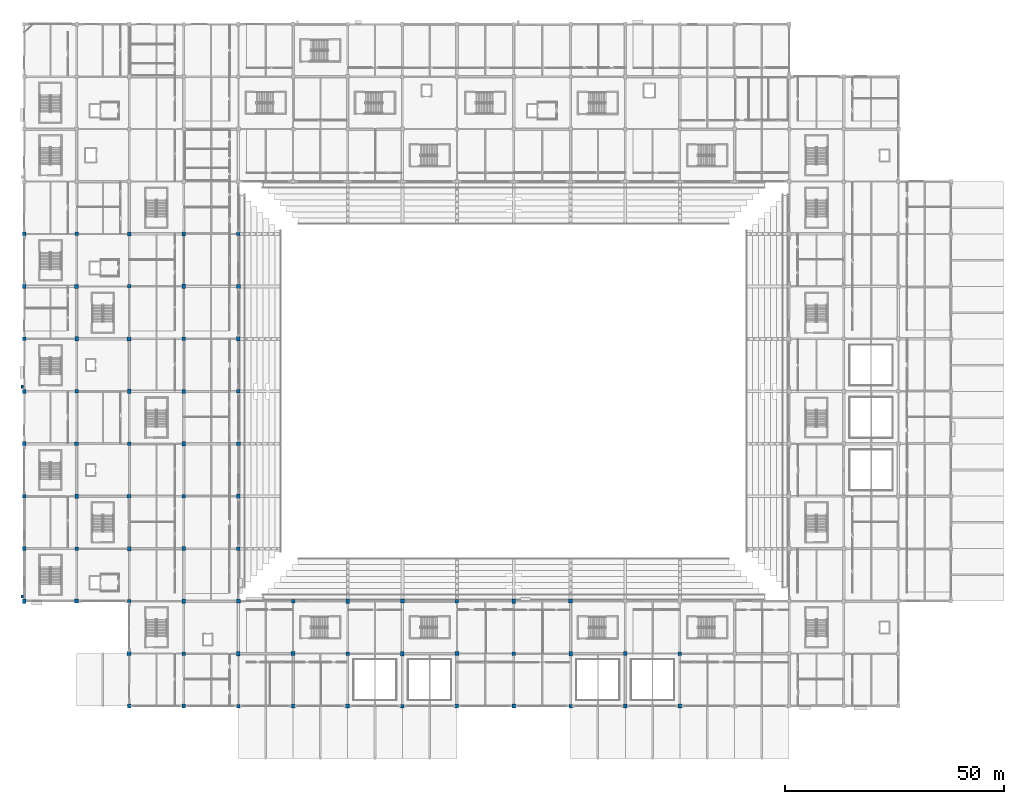
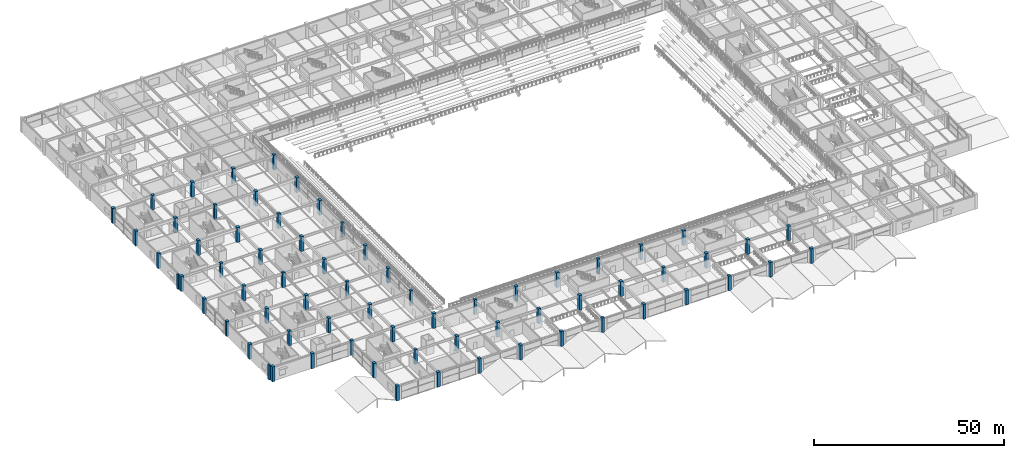
# One storey, part 1 of 134: 70 columns.
"""IFC4 building model written with IfcOpenShell, lengths in metres."""

from ifc_helpers import new_model, si_unit, direction, frame, origin, origin_2d, place, context, subcontext, project, spatial, rectangle, extrude, material, material_profile, profile_set, type_object, element, save


model = new_model("IFC4")

# Units and contexts
model_context = context("Model", 3, precision=1e-05, world=origin(), true_north=direction((0.0, 1.0)))
body_context = subcontext(model_context, "Body", "Model", "MODEL_VIEW")
ifc_project = project(units=[si_unit("LENGTHUNIT", "METRE"), si_unit("AREAUNIT", "SQUARE_METRE"), si_unit("VOLUMEUNIT", "CUBIC_METRE"), si_unit("PLANEANGLEUNIT", "RADIAN"), si_unit("MASSUNIT", "GRAM", prefix="KILO")], contexts=[model_context])

# Site, building, storey
site_placement = place(None, origin())
site = spatial("IfcSite", under=ifc_project, at=site_placement, CompositionType="ELEMENT")
building_placement = place(site_placement, origin())
building = spatial("IfcBuilding", under=site, at=building_placement, Name="Kazenohara Klinker Stadium", CompositionType="ELEMENT")
storey_placement = place(building_placement, frame((0.0, 0.0, 5.39990234375)))
storey = spatial("IfcBuildingStorey", under=building, at=storey_placement, Name="L01", CompositionType="ELEMENT", Elevation=5.39990234375)

# Columns
ifc_material = material(Name="Concrete C40/50", Category="concrete")
ifc_material_profile_1 = material_profile(ifc_material, rectangle(XDim=0.800048828125, YDim=1.0, at=origin_2d()), Name="RC-COL-1000x800")
ifc_profile_set_1 = profile_set([ifc_material_profile_1], Name="Concrete C40/50")
column_type_1 = type_object("IfcColumnType", Name="COL-RC03", PredefinedType="COLUMN", material=ifc_profile_set_1)
for number, where, z_axis, x_axis, name in (
    (1, (0.0, 36.0, 0.0), (0.0, 0.0, 1.0), (1.0, 0.0, 0.0), "Column C03 L01 1/D"),
    (2, (0.0, 72.0, 0.0), (0.0, 0.0, 1.0), (1.0, 0.0, 0.0), "Column C03 L01 1/G"),
    (3, (0.0, 108.0, 0.0), (0.0, 0.0, 1.0), (1.0, 0.0, 0.0), "Column C03 L01 1/K"),
    (4, (12.0, 60.0, 0.0), (0.0, 0.0, 1.0), (1.0, 0.0, 0.0), "Column C03 L01 2/F"),
    (5, (12.0, 96.0, 0.0), (0.0, 0.0, 1.0), (1.0, 0.0, 0.0), "Column C03 L01 2/J"),
    (6, (24.0, 12.0, 0.0), (0.0, 0.0, 1.0), (1.0, 0.0, 0.0), "Column C03 L01 3/B"),
    (7, (24.0, 48.0, 0.0), (0.0, 0.0, 1.0), (1.0, 0.0, 0.0), "Column C03 L01 3/E"),
    (8, (24.0, 84.0, 0.0), (0.0, 0.0, 1.0), (1.0, 0.0, 0.0), "Column C03 L01 3/H"),
    (9, (24.0, 120.0, 0.0), (0.0, 0.0, 1.0), (1.0, 0.0, 0.0), "Column C03 L01 3/L"),
    (10, (36.5, 36.0, 0.0), (0.0, 0.0, 1.0), (1.0, 0.0, 0.0), "Column C03 L01 4/D"),
    (11, (36.5, 72.0, 0.0), (0.0, 0.0, 1.0), (1.0, 0.0, 0.0), "Column C03 L01 4/G"),
    (12, (36.5, 108.0, 0.0), (0.0, 0.0, 1.0), (1.0, 0.0, 0.0), "Column C03 L01 4/K"),
    (13, (49.0, 24.0, 0.0), (0.0, 0.0, 1.0), (1.0, 0.0, 0.0), "Column C03 L01 5/C"),
    (14, (49.0, 60.0, 0.0), (0.0, 0.0, 1.0), (1.0, 0.0, 0.0), "Column C03 L01 5/F"),
    (15, (49.0, 96.0, 0.0), (0.0, 0.0, 1.0), (1.0, 0.0, 0.0), "Column C03 L01 5/J"),
    (16, (61.5, 12.0, 0.0), (0.0, 0.0, 1.0), (1.0, 0.0, 0.0), "Column C03 L01 6/B"),
    (17, (74.0, 36.0, 0.0), (0.0, 0.0, 1.0), (1.0, 0.0, 0.0), "Column C03 L01 7/D"),
    (18, (86.5, 24.0, 0.0), (0.0, 0.0, 1.0), (1.0, 0.0, 0.0), "Column C03 L01 8/C"),
    (19, (99.0, 12.0, 0.0), (0.0, 0.0, 1.0), (1.0, 0.0, 0.0), "Column C03 L01 9/B"),
    (20, (112.0, 36.0, 0.0), (0.0, 0.0, 1.0), (1.0, 0.0, 0.0), "Column C03 L01 10/D"),
    (21, (125.0, 24.0, 0.0), (0.0, 0.0, 1.0), (1.0, 0.0, 0.0), "Column C03 L01 11/C"),
    (22, (137.5, 12.0, 0.0), (0.0, 0.0, 1.0), (1.0, 0.0, 0.0), "Column C03 L01 12/B"),
):
    element("IfcColumn", number, at=place(storey_placement, frame(where, z_axis=z_axis, x_axis=x_axis)), inside=storey, type_object=column_type_1, Name=name, PredefinedType="COLUMN", context=body_context, shape_type="SweptSolid", body=[
        extrude(rectangle(XDim=0.800048828125, YDim=1.0, at=origin_2d()), origin(), (0.0, 0.0, 1.0), 4.800048828125),
    ])
ifc_material_profile_2 = material_profile(ifc_material, rectangle(XDim=0.89990234375, YDim=0.89990234375, at=origin_2d()), Name="RC-COL-900x900")
ifc_profile_set_2 = profile_set([ifc_material_profile_2], Name="Concrete C40/50")
column_type_2 = type_object("IfcColumnType", Name="COL-RC04", PredefinedType="COLUMN", material=ifc_profile_set_2)
for number, where, z_axis, x_axis, name in (
    (23, (0.0, 48.0, 0.0), (0.0, 0.0, 1.0), (1.0, 0.0, 0.0), "Column C04 L01 1/E"),
    (24, (0.0, 84.0, 0.0), (0.0, 0.0, 1.0), (1.0, 0.0, 0.0), "Column C04 L01 1/H"),
    (25, (0.0, 120.0, 0.0), (0.0, 0.0, 1.0), (1.0, 0.0, 0.0), "Column C04 L01 1/L"),
    (26, (12.0, 36.0, 0.0), (0.0, 0.0, 1.0), (1.0, 0.0, 0.0), "Column C04 L01 2/D"),
    (27, (12.0, 72.0, 0.0), (0.0, 0.0, 1.0), (1.0, 0.0, 0.0), "Column C04 L01 2/G"),
    (28, (12.0, 108.0, 0.0), (0.0, 0.0, 1.0), (1.0, 0.0, 0.0), "Column C04 L01 2/K"),
    (29, (24.0, 24.0, 0.0), (0.0, 0.0, 1.0), (1.0, 0.0, 0.0), "Column C04 L01 3/C"),
    (30, (24.0, 60.0, 0.0), (0.0, 0.0, 1.0), (1.0, 0.0, 0.0), "Column C04 L01 3/F"),
    (31, (24.0, 96.0, 0.0), (0.0, 0.0, 1.0), (1.0, 0.0, 0.0), "Column C04 L01 3/J"),
    (32, (36.5, 12.0, 0.0), (0.0, 0.0, 1.0), (1.0, 0.0, 0.0), "Column C04 L01 4/B"),
    (33, (36.5, 48.0, 0.0), (0.0, 0.0, 1.0), (1.0, 0.0, 0.0), "Column C04 L01 4/E"),
    (34, (36.5, 84.0, 0.0), (0.0, 0.0, 1.0), (1.0, 0.0, 0.0), "Column C04 L01 4/H"),
    (35, (36.5, 120.0, 0.0), (0.0, 0.0, 1.0), (1.0, 0.0, 0.0), "Column C04 L01 4/L"),
    (36, (49.0, 36.0, 0.0), (0.0, 0.0, 1.0), (1.0, 0.0, 0.0), "Column C04 L01 5/D"),
    (37, (49.0, 72.0, 0.0), (0.0, 0.0, 1.0), (1.0, 0.0, 0.0), "Column C04 L01 5/G"),
    (38, (49.0, 108.0, 0.0), (0.0, 0.0, 1.0), (1.0, 0.0, 0.0), "Column C04 L01 5/K"),
    (39, (61.5, 24.0, 0.0), (0.0, 0.0, 1.0), (1.0, 0.0, 0.0), "Column C04 L01 6/C"),
    (40, (74.0, 12.0, 0.0), (0.0, 0.0, 1.0), (1.0, 0.0, 0.0), "Column C04 L01 7/B"),
    (41, (86.5, 36.0, 0.0), (0.0, 0.0, 1.0), (1.0, 0.0, 0.0), "Column C04 L01 8/D"),
    (42, (99.0, 24.0, 0.0), (0.0, 0.0, 1.0), (1.0, 0.0, 0.0), "Column C04 L01 9/C"),
    (43, (112.0, 12.0, 0.0), (0.0, 0.0, 1.0), (1.0, 0.0, 0.0), "Column C04 L01 10/B"),
    (44, (125.0, 36.0, 0.0), (0.0, 0.0, 1.0), (1.0, 0.0, 0.0), "Column C04 L01 11/D"),
    (45, (137.5, 24.0, 0.0), (0.0, 0.0, 1.0), (1.0, 0.0, 0.0), "Column C04 L01 12/C"),
    (46, (150.0, 12.0, 0.0), (0.0, 0.0, 1.0), (1.0, 0.0, 0.0), "Column C04 L01 13/B"),
):
    element("IfcColumn", number, at=place(storey_placement, frame(where, z_axis=z_axis, x_axis=x_axis)), inside=storey, type_object=column_type_2, Name=name, PredefinedType="COLUMN", context=body_context, shape_type="SweptSolid", body=[
        extrude(rectangle(XDim=0.89990234375, YDim=0.89990234375, at=origin_2d()), origin(), (0.0, 0.0, 1.0), 4.800048828125),
    ])
ifc_material_profile_3 = material_profile(ifc_material, rectangle(XDim=0.800048828125, YDim=0.800048828125, at=origin_2d()), Name="RC-COL-800x800")
ifc_profile_set_3 = profile_set([ifc_material_profile_3], Name="Concrete C40/50")
column_type_3 = type_object("IfcColumnType", Name="COL-RC05", PredefinedType="COLUMN", material=ifc_profile_set_3)
for number, where, z_axis, x_axis, name in (
    (47, (0.0, 60.0, 0.0), (0.0, 0.0, 1.0), (1.0, 0.0, 0.0), "Column C05 L01 1/F"),
    (48, (0.0, 96.0, 0.0), (0.0, 0.0, 1.0), (1.0, 0.0, 0.0), "Column C05 L01 1/J"),
    (49, (12.0, 48.0, 0.0), (0.0, 0.0, 1.0), (1.0, 0.0, 0.0), "Column C05 L01 2/E"),
    (50, (12.0, 84.0, 0.0), (0.0, 0.0, 1.0), (1.0, 0.0, 0.0), "Column C05 L01 2/H"),
    (51, (12.0, 120.0, 0.0), (0.0, 0.0, 1.0), (1.0, 0.0, 0.0), "Column C05 L01 2/L"),
    (52, (24.0, 36.0, 0.0), (0.0, 0.0, 1.0), (1.0, 0.0, 0.0), "Column C05 L01 3/D"),
    (53, (24.0, 72.0, 0.0), (0.0, 0.0, 1.0), (1.0, 0.0, 0.0), "Column C05 L01 3/G"),
    (54, (24.0, 108.0, 0.0), (0.0, 0.0, 1.0), (1.0, 0.0, 0.0), "Column C05 L01 3/K"),
    (55, (36.5, 24.0, 0.0), (0.0, 0.0, 1.0), (1.0, 0.0, 0.0), "Column C05 L01 4/C"),
    (56, (36.5, 60.0, 0.0), (0.0, 0.0, 1.0), (1.0, 0.0, 0.0), "Column C05 L01 4/F"),
    (57, (36.5, 96.0, 0.0), (0.0, 0.0, 1.0), (1.0, 0.0, 0.0), "Column C05 L01 4/J"),
    (58, (49.0, 12.0, 0.0), (0.0, 0.0, 1.0), (1.0, 0.0, 0.0), "Column C05 L01 5/B"),
    (59, (49.0, 48.0, 0.0), (0.0, 0.0, 1.0), (1.0, 0.0, 0.0), "Column C05 L01 5/E"),
    (60, (49.0, 84.0, 0.0), (0.0, 0.0, 1.0), (1.0, 0.0, 0.0), "Column C05 L01 5/H"),
    (61, (49.0, 120.0, 0.0), (0.0, 0.0, 1.0), (1.0, 0.0, 0.0), "Column C05 L01 5/L"),
    (62, (61.5, 36.0, 0.0), (0.0, 0.0, 1.0), (1.0, 0.0, 0.0), "Column C05 L01 6/D"),
    (63, (74.0, 24.0, 0.0), (0.0, 0.0, 1.0), (1.0, 0.0, 0.0), "Column C05 L01 7/C"),
    (64, (86.5, 12.0, 0.0), (0.0, 0.0, 1.0), (1.0, 0.0, 0.0), "Column C05 L01 8/B"),
    (65, (99.0, 36.0, 0.0), (0.0, 0.0, 1.0), (1.0, 0.0, 0.0), "Column C05 L01 9/D"),
    (66, (112.0, 24.0, 0.0), (0.0, 0.0, 1.0), (1.0, 0.0, 0.0), "Column C05 L01 10/C"),
    (67, (125.0, 12.0, 0.0), (0.0, 0.0, 1.0), (1.0, 0.0, 0.0), "Column C05 L01 11/B"),
    (68, (150.0, 24.0, 0.0), (0.0, 0.0, 1.0), (1.0, 0.0, 0.0), "Column C05 L01 13/C"),
):
    element("IfcColumn", number, at=place(storey_placement, frame(where, z_axis=z_axis, x_axis=x_axis)), inside=storey, type_object=column_type_3, Name=name, PredefinedType="COLUMN", context=body_context, shape_type="SweptSolid", body=[
        extrude(rectangle(XDim=0.800048828125, YDim=0.800048828125, at=origin_2d()), origin(), (0.0, 0.0, 1.0), 4.800048828125),
    ])
ifc_material_profile_4 = material_profile(ifc_material, rectangle(XDim=0.449951171875, YDim=0.64990234375, at=origin_2d()), Name="RC-PILASTER-450x650")
ifc_profile_set_4 = profile_set([ifc_material_profile_4], Name="Concrete C40/50")
column_type_4 = type_object("IfcColumnType", Name="PIL-RC01", PredefinedType="PILASTER", material=ifc_profile_set_4)
column_1_placement = place(storey_placement, frame((-0.449951171875, 85.050048828125, 0.0), z_axis=(0.0, 0.0, 1.0), x_axis=(1.0, 0.0, 0.0)))
element("IfcColumn", 69, at=column_1_placement, inside=storey, type_object=column_type_4, Name="Pleated facade pilaster PL01 L01 West-07", PredefinedType="PILASTER", context=body_context, shape_type="SweptSolid", body=[
    extrude(rectangle(XDim=0.449951171875, YDim=0.64990234375, at=origin_2d()), origin(), (0.0, 0.0, 1.0), 4.800048828125),
])
ifc_material_profile_5 = material_profile(ifc_material, rectangle(XDim=0.5, YDim=0.75, at=origin_2d()), Name="RC-PILASTER-500x750")
ifc_profile_set_5 = profile_set([ifc_material_profile_5], Name="Concrete C40/50")
column_type_5 = type_object("IfcColumnType", Name="PIL-RC02", PredefinedType="PILASTER", material=ifc_profile_set_5)
column_2_placement = place(storey_placement, frame((-0.449951171875, 37.050048828125, 0.0), z_axis=(0.0, 0.0, 1.0), x_axis=(1.0, 0.0, 0.0)))
element("IfcColumn", 70, at=column_2_placement, inside=storey, type_object=column_type_5, Name="Pleated facade pilaster PL02 L01 West-03", PredefinedType="PILASTER", context=body_context, shape_type="SweptSolid", body=[
    extrude(rectangle(XDim=0.5, YDim=0.75, at=origin_2d()), origin(), (0.0, 0.0, 1.0), 4.800048828125),
])

save(model, "model.ifc")
